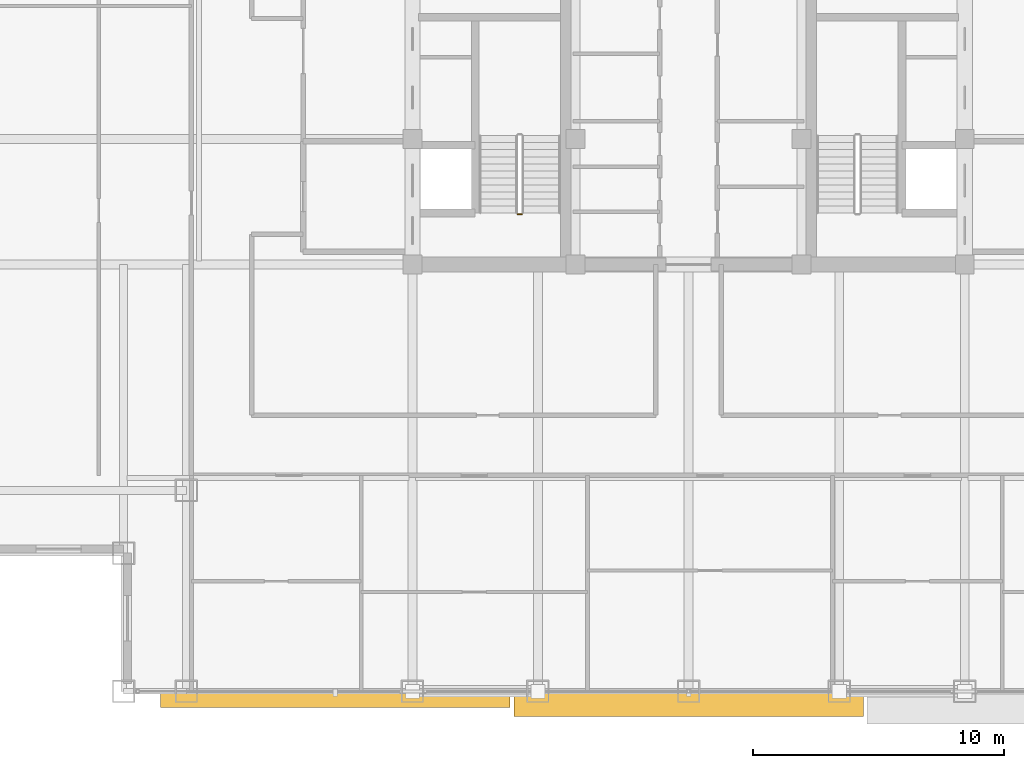
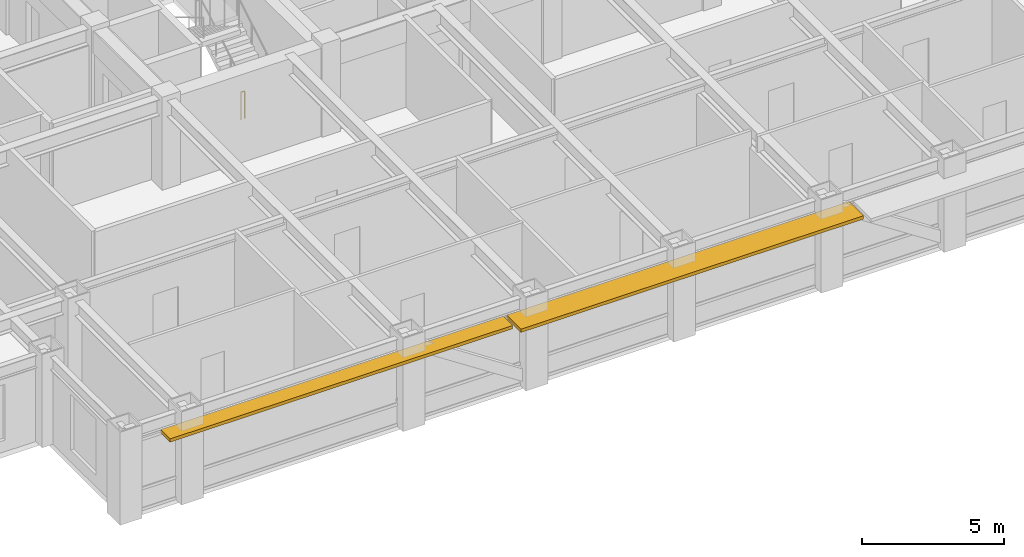
# One storey, part 25 of 29: 2 shading devices, 1 railing.
"""IFC4 building model written with IfcOpenShell, lengths in metres."""

from ifc_helpers import new_model, si_unit, direction, frame, origin, origin_2d, place, context, subcontext, project, spatial, rectangle, circle, extrude, source, transform, mapped, material, layer, layer_set, type_object, element, save


model = new_model("IFC4")

# Units and contexts
model_context = context("Model", 3, precision=1e-05, world=origin(), true_north=direction((0.0, 1.0)))
body_context = subcontext(model_context, "Body", "Model", "MODEL_VIEW")
ifc_project = project(units=[si_unit("LENGTHUNIT", "METRE"), si_unit("AREAUNIT", "SQUARE_METRE"), si_unit("VOLUMEUNIT", "CUBIC_METRE"), si_unit("PLANEANGLEUNIT", "RADIAN"), si_unit("MASSUNIT", "GRAM", prefix="KILO")], contexts=[model_context])

# Site, building, storey
site_placement = place(None, origin())
site = spatial("IfcSite", under=ifc_project, at=site_placement, CompositionType="ELEMENT")
building_placement = place(site_placement, origin())
building = spatial("IfcBuilding", under=site, at=building_placement, Name="Khorayat Bourse Tower", CompositionType="ELEMENT")
storey_placement = place(building_placement, frame((0.0, 0.0, 277.5)))
storey = spatial("IfcBuildingStorey", under=building, at=storey_placement, Name="L65", CompositionType="ELEMENT", Elevation=277.5)

# Shading devices
ifc_material_1 = material(Name="Precast concrete C45/55", Category="concrete")
ifc_layer = layer(ifc_material_1, 0.139892578125)
ifc_layer_set = layer_set([ifc_layer], Name="Precast concrete C45/55")
shading_device_type = type_object("IfcShadingDeviceType", Name="SHD-WAVE-TRAY-B", PredefinedType="USERDEFINED", material=ifc_layer_set)
shared_shape_1 = source(origin(), body_context, "Body", "SweptSolid", [
    extrude(rectangle(XDim=13.9267578125, YDim=0.67138671875, at=origin_2d()), origin(), (0.0, 0.0, 1.0), 0.139892578125),
])
shading_device_1_placement = place(storey_placement, frame((-14.066650390625, -28.31591796875, 3.0302734375), z_axis=(0.0, 0.0, 1.0), x_axis=(1.0, 0.0, 0.0)))
element("IfcShadingDevice", 1, at=shading_device_1_placement, inside=storey, type_object=shading_device_type, Name="L65 Sinusoidal Wave Sunshade Tray S-1", ObjectType="SUNSHADE", PredefinedType="USERDEFINED", context=body_context, shape_type="MappedRepresentation", body=[
    mapped(shared_shape_1, transform((0.0, 0.0, 0.0), scale=1.0)),
])
shared_shape_2 = source(origin(), body_context, "Body", "SweptSolid", [
    extrude(rectangle(XDim=13.9267578125, YDim=1.017578125, at=origin_2d()), origin(), (0.0, 0.0, 1.0), 0.139892578125),
])
shading_device_2_placement = place(storey_placement, frame((0.0, -28.48876953125, 3.0302734375), z_axis=(0.0, 0.0, 1.0), x_axis=(1.0, 0.0, 0.0)))
element("IfcShadingDevice", 2, at=shading_device_2_placement, inside=storey, type_object=shading_device_type, Name="L65 Sinusoidal Wave Sunshade Tray S-2", ObjectType="SUNSHADE", PredefinedType="USERDEFINED", context=body_context, shape_type="MappedRepresentation", body=[
    mapped(shared_shape_2, transform((0.0, 0.0, 0.0), scale=1.0)),
])

# Railing
ifc_material_2 = material(Name="Powder-coated steel balustrade", Category="steel")
railing_type = type_object("IfcRailingType", Name="RLG-GUARD-1200", PredefinedType="GUARDRAIL", material=ifc_material_2)
shared_shape_3 = source(origin(), body_context, "Body", "SweptSolid", [
    extrude(circle(Radius=0.02392578125, at=origin_2d()), frame((0.0, 0.0, 1.17578125), z_axis=(-1.0, 0.0, 0.0), x_axis=(0.0, -1.0, 0.0)), (0.0, 0.0, 1.0), 0.150146484375),
    extrude(circle(Radius=0.02099609375, at=origin_2d()), origin(), (0.0, 0.0, 1.0), 1.15185546875),
    extrude(circle(Radius=0.02099609375, at=origin_2d()), frame((-0.150146484375, 0.0, 0.0)), (0.0, 0.0, 1.0), 1.15185546875),
])
railing_placement = place(storey_placement, frame((-6.64990234375, -9.0, 0.0)))
element("IfcRailing", 3, at=railing_placement, inside=storey, type_object=railing_type, Name="L65 ST-1 stair guard 4", PredefinedType="GUARDRAIL", context=body_context, shape_type="MappedRepresentation", body=[
    mapped(shared_shape_3, transform((0.0, 0.0, 0.0), scale=1.0)),
])

save(model, "model.ifc")
